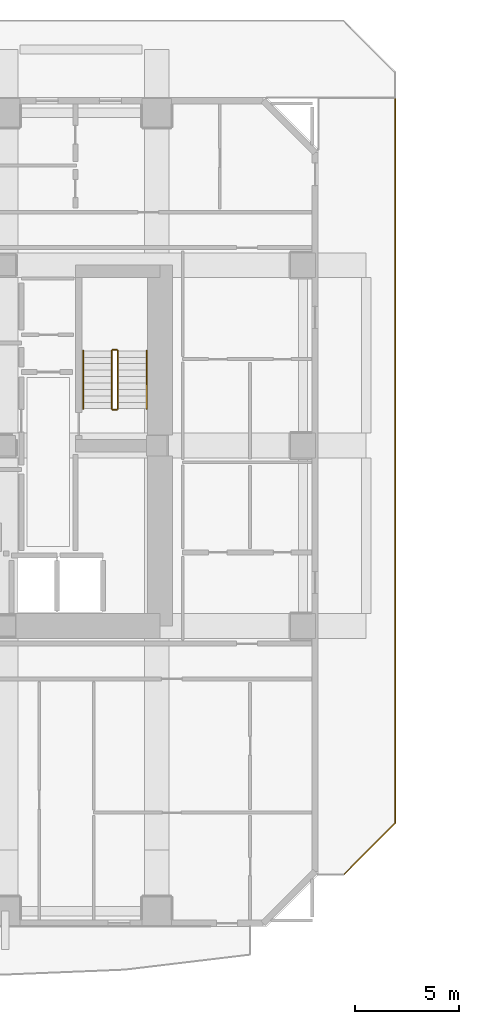
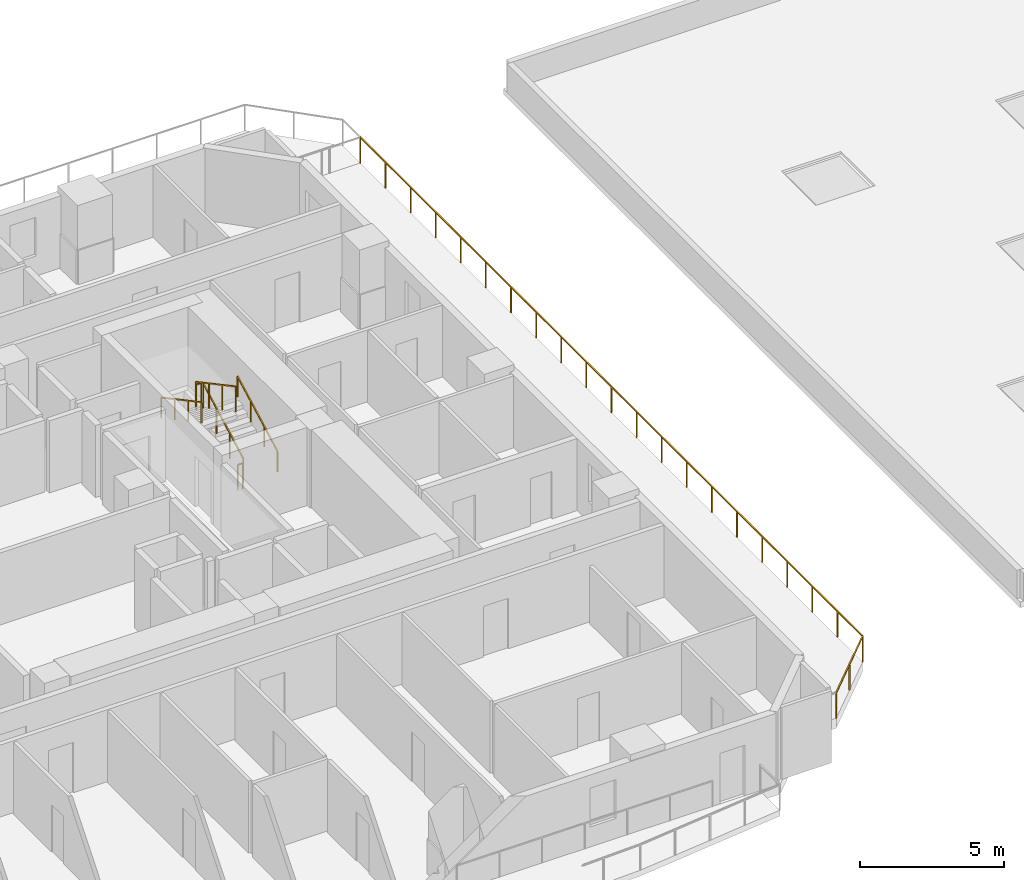
# One storey, part 12 of 13: 8 railings.
"""IFC4 building model written with IfcOpenShell, lengths in metres."""

import ifcopenshell
import ifcopenshell.guid

model = None  # the IFC model being written
_history = None  # IfcOwnerHistory: only IFC2X3 demands one
_inside = {}  # id of a spatial element -> (the spatial element, [elements in it])
_under = {}  # id of a project, library or spatial element -> (it, [spatial elements below it])
_declared = {}  # id of a project -> (the project, [libraries it declares])
_typed = {}  # id of a type object -> (the type object, [elements of that type])
_made_of = {}  # id of a material, layer set ... -> (it, [elements and type objects made of it])


def new_model(schema):
    """Start an empty IFC model of exactly this schema.

    Asked for "IFC4X3", IfcOpenShell would pick the latest addendum, in which some entities
    have other attributes; the version numbers below select the first issue.
    IFC2X3 requires an IfcOwnerHistory on every rooted entity: one is made here for all.
    """
    global model, _history
    if schema == "IFC4X3":
        model = ifcopenshell.file(schema_version=(4, 3, 0, 0))
    else:
        model = ifcopenshell.file(schema=schema)
    _inside.clear()
    _under.clear()
    _declared.clear()
    _typed.clear()
    _made_of.clear()
    _history = None
    if model.schema == "IFC2X3":
        org = make("IfcOrganization", Name="unknown")
        user = make(
            "IfcPersonAndOrganization",
            ThePerson=make("IfcPerson", FamilyName="unknown"),
            TheOrganization=org,
        )
        app = make(
            "IfcApplication",
            ApplicationDeveloper=org,
            Version="unknown",
            ApplicationFullName="unknown",
            ApplicationIdentifier="unknown",
        )
        _history = make(
            "IfcOwnerHistory",
            OwningUser=user,
            OwningApplication=app,
            ChangeAction="ADDED",
            CreationDate=0,
        )
    return model


def make(cls, **values):
    """One entity of the class cls with the attributes given. An attribute that is None is left unset."""
    return model.create_entity(
        cls, **{name: value for name, value in values.items() if value is not None}
    )


def rooted(cls, **values):
    """An entity with a GlobalId (a new one), such as an element, a storey or a relation."""
    return make(cls, GlobalId=ifcopenshell.guid.new(), OwnerHistory=_history, **values)


def si_unit(unit_type, name, prefix=None):
    """IfcSIUnit, for example si_unit("LENGTHUNIT", "METRE", prefix="MILLI")."""
    return make("IfcSIUnit", UnitType=unit_type, Prefix=prefix, Name=name)


def assignment(units):
    """IfcUnitAssignment: the units of a project."""
    return None if units is None else make("IfcUnitAssignment", Units=units)


def point(xyz):
    """IfcCartesianPoint."""
    return None if xyz is None else make("IfcCartesianPoint", Coordinates=xyz)


def direction(xyz):
    """IfcDirection."""
    return None if xyz is None else make("IfcDirection", DirectionRatios=xyz)


def frame(location, z_axis=None, x_axis=None):
    """IfcAxis2Placement3D, a coordinate frame: its origin and axes. An axis left out is left unset."""
    return make(
        "IfcAxis2Placement3D",
        Location=point(location),
        Axis=direction(z_axis),
        RefDirection=direction(x_axis),
    )


def frame_2d(location, x_axis=None):
    """IfcAxis2Placement2D, a coordinate frame in the plane: its origin and x axis."""
    return make(
        "IfcAxis2Placement2D", Location=point(location), RefDirection=direction(x_axis)
    )


def origin():
    """The frame at (0, 0, 0) with its axes left unset."""
    return frame((0.0, 0.0, 0.0))


def origin_2d():
    """The frame at (0, 0) in the plane with its x axis left unset."""
    return frame_2d((0.0, 0.0))


def place(relative_to, where):
    """IfcLocalPlacement: puts the frame where relative to a parent placement (None: the world)."""
    return make(
        "IfcLocalPlacement", PlacementRelTo=relative_to, RelativePlacement=where
    )


def context(
    kind, dimensions, precision=None, world=None, true_north=None, identifier=None
):
    """IfcGeometricRepresentationContext, for example the 3D "Model" context."""
    return make(
        "IfcGeometricRepresentationContext",
        ContextIdentifier=identifier,
        ContextType=kind,
        CoordinateSpaceDimension=dimensions,
        Precision=precision,
        WorldCoordinateSystem=world,
        TrueNorth=true_north,
    )


def subcontext(parent, identifier, kind, view, scale=None):
    """IfcGeometricRepresentationSubContext, for example "Body" below "Model"."""
    return make(
        "IfcGeometricRepresentationSubContext",
        ContextIdentifier=identifier,
        ContextType=kind,
        ParentContext=parent,
        TargetScale=scale,
        TargetView=view,
    )


def project(units=None, contexts=None):
    """IfcProject with its units and contexts."""
    return rooted(
        "IfcProject",
        Name="project",
        RepresentationContexts=contexts,
        UnitsInContext=assignment(units),
    )


def spatial(cls, under=None, at=None, **own):
    """A site, building, storey or space (cls), placed at a placement, below another one or the project."""
    s = rooted(cls, ObjectPlacement=at, **own)
    if under is not None:
        _under.setdefault(under.id(), (under, []))[1].append(s)
    return s


def profile(cls, at=None, kind="AREA", **sizes):
    """A parametric profile (cls). Its sizes go by their IFC names, for example OverallWidth=200.0."""
    return make(cls, ProfileType=kind, Position=at, **sizes)


def rectangle(**sizes):
    """IfcRectangleProfileDef."""
    return profile("IfcRectangleProfileDef", **sizes)


def extrude(swept, where, along, depth):
    """IfcExtrudedAreaSolid: the profile swept, set in the frame where, extruded along a direction by depth."""
    return make(
        "IfcExtrudedAreaSolid",
        SweptArea=swept,
        Position=where,
        ExtrudedDirection=direction(along),
        Depth=depth,
    )


def shape(context_of_items, identifier, shape_type, items):
    """IfcShapeRepresentation: the items that make up one representation, for example the "Body"."""
    return make(
        "IfcShapeRepresentation",
        ContextOfItems=context_of_items,
        RepresentationIdentifier=identifier,
        RepresentationType=shape_type,
        Items=items,
    )


def material(Name=None, Category=None):
    """IfcMaterial."""
    return make("IfcMaterial", Name=Name, Category=Category)


def made_of(thing, what):
    """Note that an element or type object is made of a material, layer set ...; save() writes the relation."""
    if what is not None:
        _made_of.setdefault(what.id(), (what, []))[1].append(thing)
    return thing


def type_object(cls, material=None, **own):
    """A type object (cls), such as IfcWallType, which elements share."""
    return made_of(rooted(cls, **own), material)


def element(
    cls,
    number,
    at=None,
    inside=None,
    cuts=None,
    type_object=None,
    material=None,
    context=None,
    identifier="Body",
    shape_type=None,
    held_by="IfcProductDefinitionShape",
    body=None,
    shapes=None,
    **own,
):
    """One element of the class cls, such as IfcWall. Its Tag is "e" and its number.

    at: its placement. inside: the storey or other place that contains it. cuts: it is an
    opening in that element (IfcRelVoidsElement). A single representation is given by context,
    identifier, shape_type and body (its items); several are given by shapes. held_by: the class
    of the entity that holds the representations. save() writes the other relations.
    """
    e = rooted(cls, Tag="e%d" % number, ObjectPlacement=at, **own)
    if body is not None:
        shapes = [shape(context, identifier, shape_type, body)]
    if shapes is not None:
        e.Representation = make(held_by, Representations=shapes)
    if inside is not None:
        _inside.setdefault(inside.id(), (inside, []))[1].append(e)
    if cuts is not None:
        rooted(
            "IfcRelVoidsElement", RelatingBuildingElement=cuts, RelatedOpeningElement=e
        )
    if type_object is not None:
        _typed.setdefault(type_object.id(), (type_object, []))[1].append(e)
    return made_of(e, material)


def aggregate(whole, parts):
    """IfcRelAggregates: a whole, such as a stair, and the parts it consists of."""
    return rooted("IfcRelAggregates", RelatingObject=whole, RelatedObjects=parts)


def save(model, path):
    """Write the relations noted so far, then the file.

    IfcRelAggregates (storeys below a building ...), IfcRelContainedInSpatialStructure (elements
    in a storey), IfcRelDefinesByType, IfcRelAssociatesMaterial and IfcRelDeclares: one each for
    every whole, place, type object, material and project.
    """
    for whole, parts in _under.values():
        aggregate(whole, parts)
    for where, things in _inside.values():
        rooted(
            "IfcRelContainedInSpatialStructure",
            RelatedElements=things,
            RelatingStructure=where,
        )
    for kind, things in _typed.values():
        rooted("IfcRelDefinesByType", RelatedObjects=things, RelatingType=kind)
    for what, things in _made_of.values():
        rooted("IfcRelAssociatesMaterial", RelatedObjects=things, RelatingMaterial=what)
    for by, libraries in _declared.values():
        rooted("IfcRelDeclares", RelatingContext=by, RelatedDefinitions=libraries)
    model.write(path)


model = new_model("IFC4")

# Units and contexts
model_context = context("Model", 3, precision=1e-05, world=origin(), true_north=direction((0.0, 1.0)))
body_context = subcontext(model_context, "Body", "Model", "MODEL_VIEW")
ifc_project = project(units=[si_unit("LENGTHUNIT", "METRE"), si_unit("AREAUNIT", "SQUARE_METRE"), si_unit("VOLUMEUNIT", "CUBIC_METRE"), si_unit("PLANEANGLEUNIT", "RADIAN"), si_unit("MASSUNIT", "GRAM", prefix="KILO")], contexts=[model_context])

# Site, building, storey
site_placement = place(None, origin())
site = spatial("IfcSite", under=ifc_project, at=site_placement, CompositionType="ELEMENT")
building_placement = place(site_placement, origin())
building = spatial("IfcBuilding", under=site, at=building_placement, Name="Solanera Arch Residences", CompositionType="ELEMENT")
storey_placement = place(building_placement, frame((0.0, 0.0, 22.0)))
storey = spatial("IfcBuildingStorey", under=building, at=storey_placement, Name="L05", CompositionType="ELEMENT", Elevation=22.0)

# Railings
ifc_material_1 = material(Name="Steel S355 (ASTM A992 / A572 Grade 50)", Category="steel")
railing_type_1 = type_object("IfcRailingType", Name="Balustrade Railing BL-1100", PredefinedType="BALUSTRADE", material=ifc_material_1)
railing_1_placement = place(storey_placement, frame((45.5, 10.0, 0.0)))
element("IfcRailing", 1, at=railing_1_placement, inside=storey, type_object=railing_type_1, Name="L05 Sky Terrace Guardrail 1", PredefinedType="BALUSTRADE", context=body_context, shape_type="SweptSolid", body=[
    extrude(rectangle(XDim=0.048095703125, YDim=0.048095703125, at=origin_2d()), frame((0.0, 0.0, 1.09619140625), z_axis=(0.707106781187, 0.707106781187, 0.0), x_axis=(-0.707106781187, 0.707106781187, 0.0)), (0.0, 0.0, 1.0), 3.53564453125),
    extrude(rectangle(XDim=0.0419921875, YDim=0.0419921875, at=origin_2d()), origin(), (0.0, 0.0, 1.0), 1.072021484375),
    extrude(rectangle(XDim=0.0419921875, YDim=0.0419921875, at=origin_2d()), frame((1.25, 1.25, 0.0)), (0.0, 0.0, 1.0), 1.072021484375),
    extrude(rectangle(XDim=0.0419921875, YDim=0.0419921875, at=origin_2d()), frame((2.5, 2.5, 0.0)), (0.0, 0.0, 1.0), 1.072021484375),
])
railing_2_placement = place(storey_placement, frame((48.0, 12.5, 0.0)))
element("IfcRailing", 2, at=railing_2_placement, inside=storey, type_object=railing_type_1, Name="L05 Sky Terrace Guardrail 1", PredefinedType="BALUSTRADE", context=body_context, shape_type="SweptSolid", body=[
    extrude(rectangle(XDim=0.048095703125, YDim=0.048095703125, at=origin_2d()), frame((0.0, 0.0, 1.09619140625), z_axis=(0.0, 1.0, 0.0), x_axis=(-1.0, 0.0, 0.0)), (0.0, 0.0, 1.0), 34.97998046875),
    extrude(rectangle(XDim=0.0419921875, YDim=0.0419921875, at=origin_2d()), origin(), (0.0, 0.0, 1.0), 1.072021484375),
    extrude(rectangle(XDim=0.0419921875, YDim=0.0419921875, at=origin_2d()), frame((0.0, 1.7490234375, 0.0)), (0.0, 0.0, 1.0), 1.072021484375),
    extrude(rectangle(XDim=0.0419921875, YDim=0.0419921875, at=origin_2d()), frame((0.0, 3.498046875, 0.0)), (0.0, 0.0, 1.0), 1.072021484375),
    extrude(rectangle(XDim=0.0419921875, YDim=0.0419921875, at=origin_2d()), frame((0.0, 5.2470703125, 0.0)), (0.0, 0.0, 1.0), 1.072021484375),
    extrude(rectangle(XDim=0.0419921875, YDim=0.0419921875, at=origin_2d()), frame((0.0, 6.99609375, 0.0)), (0.0, 0.0, 1.0), 1.072021484375),
    extrude(rectangle(XDim=0.0419921875, YDim=0.0419921875, at=origin_2d()), frame((0.0, 8.7451171875, 0.0)), (0.0, 0.0, 1.0), 1.072021484375),
    extrude(rectangle(XDim=0.0419921875, YDim=0.0419921875, at=origin_2d()), frame((0.0, 10.493896484375, 0.0)), (0.0, 0.0, 1.0), 1.072021484375),
    extrude(rectangle(XDim=0.0419921875, YDim=0.0419921875, at=origin_2d()), frame((0.0, 12.242919921875, 0.0)), (0.0, 0.0, 1.0), 1.072021484375),
    extrude(rectangle(XDim=0.0419921875, YDim=0.0419921875, at=origin_2d()), frame((0.0, 13.991943359375, 0.0)), (0.0, 0.0, 1.0), 1.072021484375),
    extrude(rectangle(XDim=0.0419921875, YDim=0.0419921875, at=origin_2d()), frame((0.0, 15.740966796875, 0.0)), (0.0, 0.0, 1.0), 1.072021484375),
    extrude(rectangle(XDim=0.0419921875, YDim=0.0419921875, at=origin_2d()), frame((0.0, 17.489990234375, 0.0)), (0.0, 0.0, 1.0), 1.072021484375),
    extrude(rectangle(XDim=0.0419921875, YDim=0.0419921875, at=origin_2d()), frame((0.0, 19.239013671875, 0.0)), (0.0, 0.0, 1.0), 1.072021484375),
    extrude(rectangle(XDim=0.0419921875, YDim=0.0419921875, at=origin_2d()), frame((0.0, 20.988037109375, 0.0)), (0.0, 0.0, 1.0), 1.072021484375),
    extrude(rectangle(XDim=0.0419921875, YDim=0.0419921875, at=origin_2d()), frame((0.0, 22.737060546875, 0.0)), (0.0, 0.0, 1.0), 1.072021484375),
    extrude(rectangle(XDim=0.0419921875, YDim=0.0419921875, at=origin_2d()), frame((0.0, 24.486083984375, 0.0)), (0.0, 0.0, 1.0), 1.072021484375),
    extrude(rectangle(XDim=0.0419921875, YDim=0.0419921875, at=origin_2d()), frame((0.0, 26.23486328125, 0.0)), (0.0, 0.0, 1.0), 1.072021484375),
    extrude(rectangle(XDim=0.0419921875, YDim=0.0419921875, at=origin_2d()), frame((0.0, 27.98388671875, 0.0)), (0.0, 0.0, 1.0), 1.072021484375),
    extrude(rectangle(XDim=0.0419921875, YDim=0.0419921875, at=origin_2d()), frame((0.0, 29.73291015625, 0.0)), (0.0, 0.0, 1.0), 1.072021484375),
    extrude(rectangle(XDim=0.0419921875, YDim=0.0419921875, at=origin_2d()), frame((0.0, 31.48193359375, 0.0)), (0.0, 0.0, 1.0), 1.072021484375),
    extrude(rectangle(XDim=0.0419921875, YDim=0.0419921875, at=origin_2d()), frame((0.0, 33.23095703125, 0.0)), (0.0, 0.0, 1.0), 1.072021484375),
    extrude(rectangle(XDim=0.0419921875, YDim=0.0419921875, at=origin_2d()), frame((0.0, 34.97998046875, 0.0)), (0.0, 0.0, 1.0), 1.072021484375),
])
ifc_material_2 = material(Name="Steel S355 (ASTM A992 / A572 Grade 50)", Category="steel")
railing_type_2 = type_object("IfcRailingType", Name="Stair Guardrail GR-1100", PredefinedType="GUARDRAIL", material=ifc_material_2)
railing_3_placement = place(storey_placement, frame((34.6298828125, 32.47998046875, 0.15087890625)))
element("IfcRailing", 3, at=railing_3_placement, inside=storey, type_object=railing_type_2, Name="L05 ST-T2 stair guard 1", PredefinedType="GUARDRAIL", context=body_context, shape_type="SweptSolid", body=[
    extrude(rectangle(XDim=0.048095703125, YDim=0.048095703125, at=origin_2d()), frame((0.0, 0.0, 1.076171875), z_axis=(0.0, 0.881548766853, 0.472092969298), x_axis=(-1.0, 0.0, 0.0)), (0.0, 0.0, 1.0), 3.1650390625),
    extrude(rectangle(XDim=0.0419921875, YDim=0.0419921875, at=origin_2d()), origin(), (0.0, 0.0, 1.0), 1.052001953125),
    extrude(rectangle(XDim=0.0419921875, YDim=0.0419921875, at=origin_2d()), frame((0.0, 0.929931640625, 0.498046875)), (0.0, 0.0, 1.0), 1.052001953125),
    extrude(rectangle(XDim=0.0419921875, YDim=0.0419921875, at=origin_2d()), frame((0.0, 1.860107421875, 0.99609375)), (0.0, 0.0, 1.0), 1.052001953125),
    extrude(rectangle(XDim=0.0419921875, YDim=0.0419921875, at=origin_2d()), frame((0.0, 2.7900390625, 1.494140625)), (0.0, 0.0, 1.0), 1.052001953125),
])
railing_4_placement = place(storey_placement, frame((34.580078125, 35.320068359375, 1.64501953125)))
element("IfcRailing", 4, at=railing_4_placement, inside=storey, type_object=railing_type_2, Name="L05 ST-T2 stair guard 2", PredefinedType="GUARDRAIL", context=body_context, shape_type="SweptSolid", body=[
    extrude(rectangle(XDim=0.048095703125, YDim=0.048095703125, at=origin_2d()), frame((0.0, 0.0, 1.076171875), z_axis=(-1.0, 0.0, 0.0), x_axis=(0.0, -1.0, 0.0)), (0.0, 0.0, 1.0), 0.2001953125),
    extrude(rectangle(XDim=0.0419921875, YDim=0.0419921875, at=origin_2d()), origin(), (0.0, 0.0, 1.0), 1.052001953125),
    extrude(rectangle(XDim=0.0419921875, YDim=0.0419921875, at=origin_2d()), frame((-0.2001953125, 0.0, 0.0)), (0.0, 0.0, 1.0), 1.052001953125),
])
railing_5_placement = place(storey_placement, frame((34.330078125, 35.27001953125, 1.81103515625)))
element("IfcRailing", 5, at=railing_5_placement, inside=storey, type_object=railing_type_2, Name="L05 ST-T2 stair guard 3", PredefinedType="GUARDRAIL", context=body_context, shape_type="SweptSolid", body=[
    extrude(rectangle(XDim=0.048095703125, YDim=0.048095703125, at=origin_2d()), frame((0.0, 0.0, 1.076171875), z_axis=(0.0, -0.881580869306, 0.472033018838), x_axis=(1.0, 0.0, 0.0)), (0.0, 0.0, 1.0), 3.164794921875),
    extrude(rectangle(XDim=0.0419921875, YDim=0.0419921875, at=origin_2d()), origin(), (0.0, 0.0, 1.0), 1.052001953125),
    extrude(rectangle(XDim=0.0419921875, YDim=0.0419921875, at=origin_2d()), frame((0.0, -0.929931640625, 0.498046875)), (0.0, 0.0, 1.0), 1.052001953125),
    extrude(rectangle(XDim=0.0419921875, YDim=0.0419921875, at=origin_2d()), frame((0.0, -1.860107421875, 0.995849609375)), (0.0, 0.0, 1.0), 1.052001953125),
    extrude(rectangle(XDim=0.0419921875, YDim=0.0419921875, at=origin_2d()), frame((0.0, -2.7900390625, 1.493896484375)), (0.0, 0.0, 1.0), 1.052001953125),
])
railing_6_placement = place(storey_placement, frame((34.580078125, 32.429931640625, -0.014892578125)))
element("IfcRailing", 6, at=railing_6_placement, inside=storey, type_object=railing_type_2, Name="L05 ST-T2 stair guard 4", PredefinedType="GUARDRAIL", context=body_context, shape_type="SweptSolid", body=[
    extrude(rectangle(XDim=0.048095703125, YDim=0.048095703125, at=origin_2d()), frame((0.0, 0.0, 1.076171875), z_axis=(-1.0, 0.0, 0.0), x_axis=(0.0, -1.0, 0.0)), (0.0, 0.0, 1.0), 0.2001953125),
    extrude(rectangle(XDim=0.0419921875, YDim=0.0419921875, at=origin_2d()), origin(), (0.0, 0.0, 1.0), 1.052001953125),
    extrude(rectangle(XDim=0.0419921875, YDim=0.0419921875, at=origin_2d()), frame((-0.2001953125, 0.0, 0.0)), (0.0, 0.0, 1.0), 1.052001953125),
])
ifc_material_3 = material(Name="Steel S355 (ASTM A992 / A572 Grade 50)", Category="steel")
railing_type_3 = type_object("IfcRailingType", Name="Stair Wall Handrail HR-920", PredefinedType="HANDRAIL", material=ifc_material_3)
railing_7_placement = place(storey_placement, frame((36.010009765625, 32.47998046875, 0.166015625)))
element("IfcRailing", 7, at=railing_7_placement, inside=storey, type_object=railing_type_3, Name="L05 ST-T2 stair handrail 1", PredefinedType="HANDRAIL", context=body_context, shape_type="SweptSolid", body=[
    extrude(rectangle(XDim=0.048095703125, YDim=0.048095703125, at=origin_2d()), frame((0.0, 0.0, 0.8759765625), z_axis=(0.0, 0.881580869306, 0.472033018838), x_axis=(-1.0, 0.0, 0.0)), (0.0, 0.0, 1.0), 3.164794921875),
    extrude(rectangle(XDim=0.0419921875, YDim=0.0419921875, at=origin_2d()), origin(), (0.0, 0.0, 1.0), 0.851806640625),
    extrude(rectangle(XDim=0.0419921875, YDim=0.0419921875, at=origin_2d()), frame((0.0, 0.929931640625, 0.498046875)), (0.0, 0.0, 1.0), 0.851806640625),
    extrude(rectangle(XDim=0.0419921875, YDim=0.0419921875, at=origin_2d()), frame((0.0, 1.860107421875, 0.995849609375)), (0.0, 0.0, 1.0), 0.851806640625),
    extrude(rectangle(XDim=0.0419921875, YDim=0.0419921875, at=origin_2d()), frame((0.0, 2.7900390625, 1.493896484375)), (0.0, 0.0, 1.0), 0.851806640625),
])
railing_8_placement = place(storey_placement, frame((32.949951171875, 35.27001953125, 1.825927734375)))
element("IfcRailing", 8, at=railing_8_placement, inside=storey, type_object=railing_type_3, Name="L05 ST-T2 stair handrail 2", PredefinedType="HANDRAIL", context=body_context, shape_type="SweptSolid", body=[
    extrude(rectangle(XDim=0.048095703125, YDim=0.048095703125, at=origin_2d()), frame((0.0, 0.0, 0.8759765625), z_axis=(0.0, -0.881548766853, 0.472092969298), x_axis=(1.0, 0.0, 0.0)), (0.0, 0.0, 1.0), 3.1650390625),
    extrude(rectangle(XDim=0.0419921875, YDim=0.0419921875, at=origin_2d()), origin(), (0.0, 0.0, 1.0), 0.851806640625),
    extrude(rectangle(XDim=0.0419921875, YDim=0.0419921875, at=origin_2d()), frame((0.0, -0.929931640625, 0.498046875)), (0.0, 0.0, 1.0), 0.851806640625),
    extrude(rectangle(XDim=0.0419921875, YDim=0.0419921875, at=origin_2d()), frame((0.0, -1.860107421875, 0.99609375)), (0.0, 0.0, 1.0), 0.851806640625),
    extrude(rectangle(XDim=0.0419921875, YDim=0.0419921875, at=origin_2d()), frame((0.0, -2.7900390625, 1.494140625)), (0.0, 0.0, 1.0), 0.851806640625),
])

save(model, "model.ifc")
